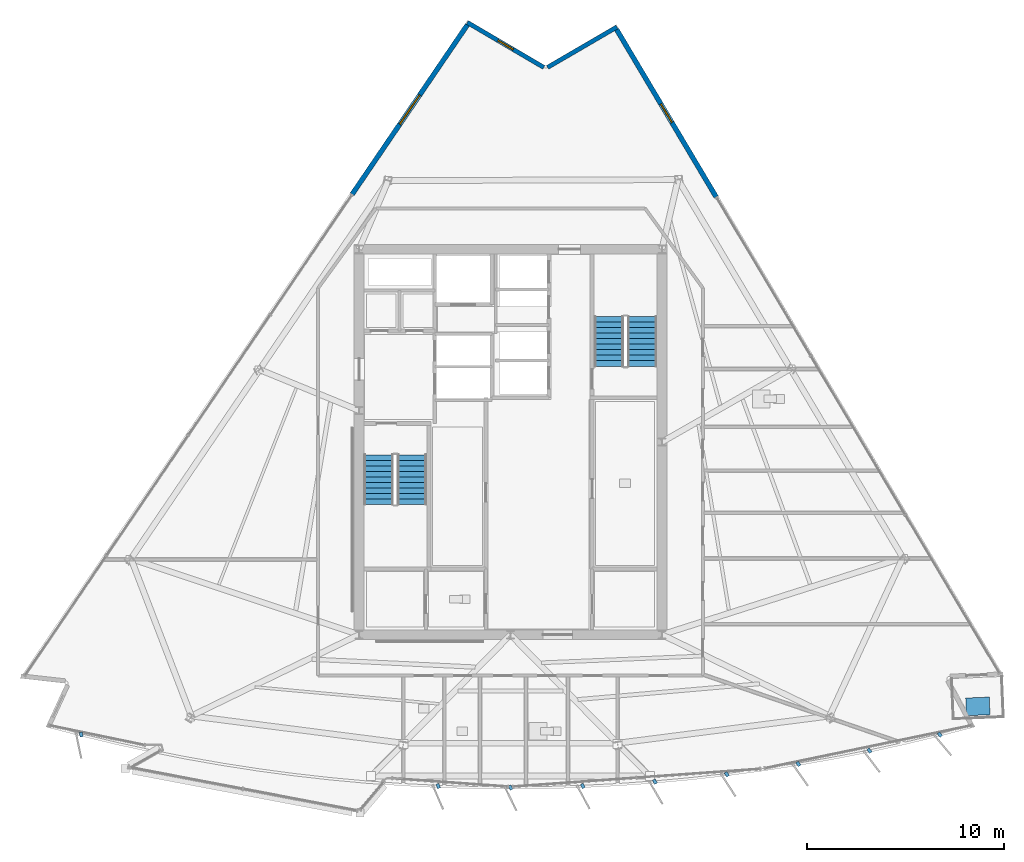
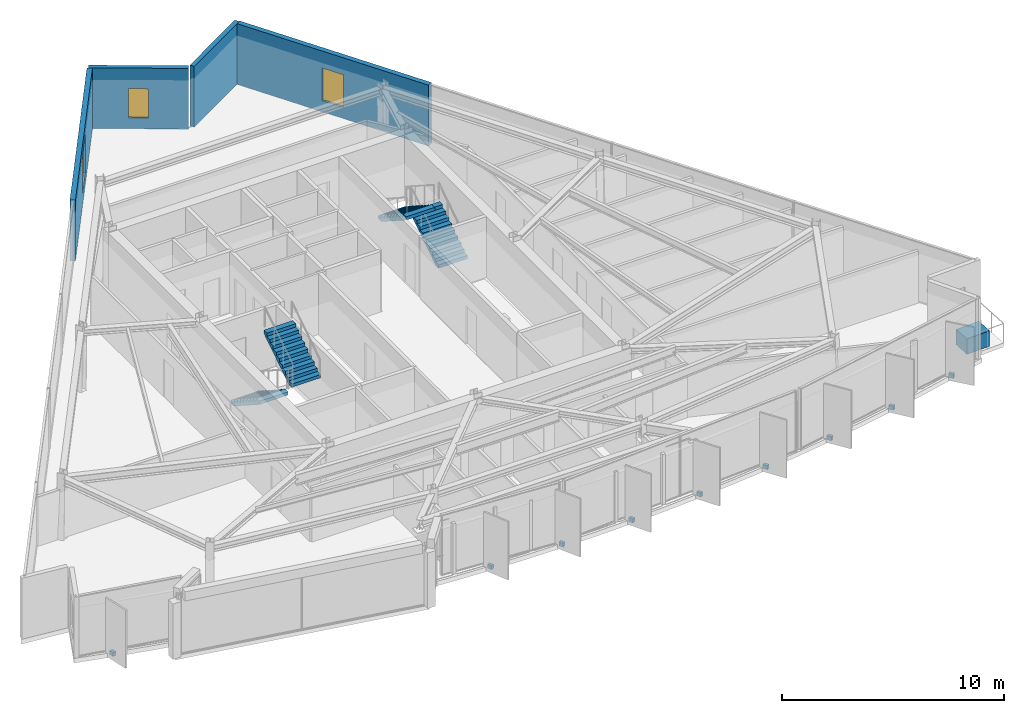
# One storey, part 9 of 14: 10 discrete accessories, 4 stair flights, 4 walls, 3 windows, 3 openings, 2 elements without a shape of their own.
"""IFC4 building model written with IfcOpenShell, lengths in metres."""

from ifc_helpers import new_model, si_unit, direction, frame, frame_2d, origin, origin_2d, place, context, subcontext, project, spatial, polyline, rectangle, outline, extrude, material, layer, layer_set, type_object, element, fill, aggregate, save


model = new_model("IFC4")

# Units and contexts
model_context = context("Model", 3, precision=1e-05, world=origin(), true_north=direction((0.0, 1.0)))
body_context = subcontext(model_context, "Body", "Model", "MODEL_VIEW")
ifc_project = project(units=[si_unit("LENGTHUNIT", "METRE"), si_unit("AREAUNIT", "SQUARE_METRE"), si_unit("VOLUMEUNIT", "CUBIC_METRE"), si_unit("PLANEANGLEUNIT", "RADIAN"), si_unit("MASSUNIT", "GRAM", prefix="KILO")], contexts=[model_context])

# Site, building, storey
site_placement = place(None, origin())
site = spatial("IfcSite", under=ifc_project, at=site_placement, CompositionType="ELEMENT")
building_placement = place(site_placement, origin())
building = spatial("IfcBuilding", under=site, at=building_placement, Name="Savorim Split Tower", CompositionType="ELEMENT")
storey_placement = place(building_placement, frame((0.0, 0.0, 230.699951171875)))
storey = spatial("IfcBuildingStorey", under=building, at=storey_placement, Name="L61", CompositionType="ELEMENT", Elevation=230.699951171875)

# Wall
ifc_material_1 = material(Name="Precast concrete C40/50", Category="concrete")
ifc_layer_1 = layer(ifc_material_1, 0.219970703125)
ifc_layer_set_1 = layer_set([ifc_layer_1], Name="WAL-EXT-CRN220")
wall_type_1 = type_object("IfcWallType", Name="WAL-EXT-CRN220", PredefinedType="SOLIDWALL", material=ifc_layer_set_1)
wall_1_placement = place(storey_placement, frame((1.8837890625, 19.445068359375, 0.0), z_axis=(0.0, 0.0, 1.0), x_axis=(0.863969645804, 0.50354389196, 0.0)))
element("IfcWall", 1, at=wall_1_placement, inside=storey, type_object=wall_type_1, Name="L61 Notched Corner Facade Wall NE1", PredefinedType="SOLIDWALL", context=body_context, shape_type="SweptSolid", body=[
    extrude(rectangle(XDim=4.083740234375, YDim=0.219970703125, at=frame_2d((2.0419921875, 0.0))), origin(), (0.0, 0.0, 1.0), 3.35009765625),
])

# Wall, opening, window
wall_2_placement = place(storey_placement, frame((-2.196533203125, 21.731689453125, 0.0), z_axis=(0.0, 0.0, 1.0), x_axis=(0.862121926844, -0.506700881442, 0.0)))
wall_2 = element("IfcWall", 2, at=wall_2_placement, inside=storey, type_object=wall_type_1, Name="L61 Notched Corner Facade Wall N", PredefinedType="SOLIDWALL", context=body_context, shape_type="SweptSolid", body=[
    extrude(rectangle(XDim=4.51220703125, YDim=0.219970703125, at=frame_2d((2.256103515625, 0.0))), origin(), (0.0, 0.0, 1.0), 3.35009765625),
])
opening_1_placement = place(wall_2_placement, frame((1.80615234375, 0.0, 0.6201171875)))
opening_1 = element("IfcOpeningElement", 3, at=opening_1_placement, cuts=wall_2, Name="Opening WN-10", PredefinedType="OPENING", context=body_context, shape_type="SweptSolid", body=[
    extrude(rectangle(XDim=0.89990234375, YDim=1.60009765625, at=frame_2d((0.449951171875, 0.800048828125))), frame((0.0, 0.119873046875, 0.0), z_axis=(0.0, -1.0, 0.0), x_axis=(1.0, 0.0, 0.0)), (0.0, 0.0, 1.0), 0.239990234375),
])
ifc_material_2 = material(Name="Low-E Operable Double Glazing", Category="glass")
window_type_1 = type_object("IfcWindowType", Name="WIN-TWR-900x1600", PartitioningType="SINGLE_PANEL", PredefinedType="WINDOW", material=ifc_material_2)
window_1_placement = place(opening_1_placement, origin())
window_1 = element("IfcWindow", 4, at=window_1_placement, inside=storey, type_object=window_type_1, Name="L61 Operable Corner Window N", OverallHeight=1.60009765625, OverallWidth=0.89990234375, PartitioningType="SINGLE_PANEL", PredefinedType="WINDOW", context=body_context, shape_type="SweptSolid", body=[
    extrude(rectangle(XDim=0.89990234375, YDim=1.60009765625, at=frame_2d((0.449951171875, 0.800048828125))), frame((0.0, 0.030029296875, 0.0), z_axis=(0.0, -1.0, 0.0), x_axis=(1.0, 0.0, 0.0)), (0.0, 0.0, 1.0), 0.06005859375),
])
fill(opening_1, window_1)

ifc_layer_2 = layer(ifc_material_1, 0.25)
ifc_layer_set_2 = layer_set([ifc_layer_2], Name="WAL-EXT-SPN250")
wall_type_2 = type_object("IfcWallType", Name="WAL-EXT-SPN250", PredefinedType="SOLIDWALL", material=ifc_layer_set_2)
wall_3_placement = place(storey_placement, frame((5.3955078125, 21.374755859375, 0.0), z_axis=(0.0, 0.0, 1.0), x_axis=(0.511082771111, -0.85953150092, 0.0)))
wall_3 = element("IfcWall", 5, at=wall_3_placement, inside=storey, type_object=wall_type_2, Name="L61 East Operable Window Pier", PredefinedType="SOLIDWALL", context=body_context, shape_type="SweptSolid", body=[
    extrude(rectangle(XDim=9.91064453125, YDim=0.25, at=frame_2d((4.955322265625, 0.0))), origin(), (0.0, 0.0, 1.0), 3.35009765625),
])
opening_2_placement = place(wall_3_placement, frame((4.405517578125, 0.0, 0.6201171875)))
opening_2 = element("IfcOpeningElement", 6, at=opening_2_placement, cuts=wall_3, Name="Opening WN-09", PredefinedType="OPENING", context=body_context, shape_type="SweptSolid", body=[
    extrude(rectangle(XDim=1.10009765625, YDim=1.800048828125, at=frame_2d((0.550048828125, 0.89990234375))), frame((0.0, 0.135009765625, 0.0), z_axis=(0.0, -1.0, 0.0), x_axis=(1.0, 0.0, 0.0)), (0.0, 0.0, 1.0), 0.27001953125),
])
window_type_2 = type_object("IfcWindowType", Name="WIN-TWR-1100x1800", PartitioningType="SINGLE_PANEL", PredefinedType="WINDOW", material=ifc_material_2)
window_2_placement = place(opening_2_placement, origin())
window_2 = element("IfcWindow", 7, at=window_2_placement, inside=storey, type_object=window_type_2, Name="L61 East Operable Ventilation Window", OverallHeight=1.800048828125, OverallWidth=1.10009765625, PartitioningType="SINGLE_PANEL", PredefinedType="WINDOW", context=body_context, shape_type="SweptSolid", body=[
    extrude(rectangle(XDim=1.10009765625, YDim=1.800048828125, at=frame_2d((0.550048828125, 0.89990234375))), frame((0.0, 0.030029296875, 0.0), z_axis=(0.0, -1.0, 0.0), x_axis=(1.0, 0.0, 0.0)), (0.0, 0.0, 1.0), 0.06005859375),
])
fill(opening_2, window_2)

wall_4_placement = place(storey_placement, frame((-8.05029296875, 12.998291015625, 0.0), z_axis=(0.0, 0.0, 1.0), x_axis=(0.562447281182, 0.826833148762, 0.0)))
wall_4 = element("IfcWall", 8, at=wall_4_placement, inside=storey, type_object=wall_type_2, Name="L61 West Operable Window Pier", PredefinedType="SOLIDWALL", context=body_context, shape_type="SweptSolid", body=[
    extrude(rectangle(XDim=10.41064453125, YDim=0.25, at=frame_2d((5.205322265625, 0.0))), origin(), (0.0, 0.0, 1.0), 3.35009765625),
])
opening_3_placement = place(wall_4_placement, frame((4.305419921875, 0.0, 0.6201171875)))
opening_3 = element("IfcOpeningElement", 9, at=opening_3_placement, cuts=wall_4, Name="Opening WN-04", PredefinedType="OPENING", context=body_context, shape_type="SweptSolid", body=[
    extrude(rectangle(XDim=1.800048828125, YDim=2.10009765625, at=frame_2d((0.89990234375, 1.050048828125))), frame((0.0, 0.135009765625, 0.0), z_axis=(0.0, -1.0, 0.0), x_axis=(1.0, 0.0, 0.0)), (0.0, 0.0, 1.0), 0.27001953125),
])
window_type_3 = type_object("IfcWindowType", Name="WIN-TWR-1800x2100", PartitioningType="DOUBLE_PANEL_VERTICAL", PredefinedType="WINDOW", material=ifc_material_2)
window_3_placement = place(opening_3_placement, origin())
window_3 = element("IfcWindow", 10, at=window_3_placement, inside=storey, type_object=window_type_3, Name="L61 West Operable Ventilation Window", OverallHeight=2.10009765625, OverallWidth=1.800048828125, PartitioningType="SINGLE_PANEL", PredefinedType="WINDOW", context=body_context, shape_type="SweptSolid", body=[
    extrude(rectangle(XDim=1.800048828125, YDim=2.10009765625, at=frame_2d((0.89990234375, 1.050048828125))), frame((0.0, 0.030029296875, 0.0), z_axis=(0.0, -1.0, 0.0), x_axis=(1.0, 0.0, 0.0)), (0.0, 0.0, 1.0), 0.06005859375),
])
fill(opening_3, window_3)

# Stair, stair flights
ifc_material_3 = material(Name="Concrete C50/60", Category="concrete")
stair_type = type_object("IfcStairType", Name="STR-DOG-3600", PredefinedType="HALF_TURN_STAIR", material=ifc_material_3)
stair_1_placement = place(storey_placement, origin())
stair_1 = element("IfcStair", 11, at=stair_1_placement, inside=storey, type_object=stair_type, Name="L61 Core Protected Exit Stair ST-1", PredefinedType="HALF_TURN_STAIR")
stair_flight_type = type_object("IfcStairFlightType", Name="SFL-DOG-3600", PredefinedType="STRAIGHT", material=ifc_material_3)
stair_flight_1_placement = place(storey_placement, frame((-6.699951171875, -0.25, 0.0), z_axis=(0.0, 0.0, 1.0), x_axis=(0.0, -1.0, 0.0)))
stair_flight_1 = element("IfcStairFlight", 12, at=stair_flight_1_placement, type_object=stair_flight_type, Name="ST-1 flight 1", NumberOfRisers=10, NumberOfTreads=9, PredefinedType="STRAIGHT", RiserHeight=0.18, TreadLength=0.28, context=body_context, shape_type="SweptSolid", body=[
    extrude(outline(polyline([(0.0, 0.0), (0.0, 0.179931640625), (0.280029296875, 0.179931640625), (0.280029296875, 0.360107421875), (0.56005859375, 0.360107421875), (0.56005859375, 0.5400390625), (0.840087890625, 0.5400390625), (0.840087890625, 0.719970703125), (1.1201171875, 0.719970703125), (1.1201171875, 0.89990234375), (1.39990234375, 0.89990234375), (1.39990234375, 1.080078125), (1.679931640625, 1.080078125), (1.679931640625, 1.260009765625), (1.9599609375, 1.260009765625), (1.9599609375, 1.43994140625), (2.239990234375, 1.43994140625), (2.239990234375, 1.6201171875), (2.52001953125, 1.6201171875), (2.52001953125, 1.800048828125), (2.52001953125, 1.44189453125), (0.277099609375, 0.0), (0.0, 0.0)])), frame((0.0, 0.75, 0.0), z_axis=(0.0, -1.0, 0.0), x_axis=(1.0, 0.0, 0.0)), (0.0, 0.0, 1.0), 1.5),
])
stair_flight_2_placement = place(storey_placement, frame((-5.0, -2.77001953125, 1.800048828125), z_axis=(0.0, 0.0, 1.0), x_axis=(0.0, 1.0, 0.0)))
stair_flight_2 = element("IfcStairFlight", 13, at=stair_flight_2_placement, type_object=stair_flight_type, Name="ST-1 flight 2", NumberOfRisers=10, NumberOfTreads=9, PredefinedType="STRAIGHT", RiserHeight=0.18, TreadLength=0.28, context=body_context, shape_type="SweptSolid", body=[
    extrude(outline(polyline([(0.0, 0.0), (0.0, 0.179931640625), (0.280029296875, 0.179931640625), (0.280029296875, 0.360107421875), (0.56005859375, 0.360107421875), (0.56005859375, 0.5400390625), (0.840087890625, 0.5400390625), (0.840087890625, 0.719970703125), (1.1201171875, 0.719970703125), (1.1201171875, 0.89990234375), (1.39990234375, 0.89990234375), (1.39990234375, 1.080078125), (1.679931640625, 1.080078125), (1.679931640625, 1.260009765625), (1.9599609375, 1.260009765625), (1.9599609375, 1.43994140625), (2.239990234375, 1.43994140625), (2.239990234375, 1.6201171875), (2.52001953125, 1.6201171875), (2.52001953125, 1.800048828125), (2.52001953125, 1.44189453125), (0.277099609375, 0.0), (0.0, 0.0)])), frame((0.0, 0.75, 0.0), z_axis=(0.0, -1.0, 0.0), x_axis=(1.0, 0.0, 0.0)), (0.0, 0.0, 1.0), 1.5),
])
aggregate(stair_1, [stair_flight_1, stair_flight_2])

stair_2_placement = place(storey_placement, origin())
stair_2 = element("IfcStair", 14, at=stair_2_placement, inside=storey, type_object=stair_type, Name="L61 Core Protected Exit Stair ST-2", PredefinedType="HALF_TURN_STAIR")
stair_flight_3_placement = place(storey_placement, frame((6.699951171875, 4.25, 0.0), z_axis=(0.0, 0.0, 1.0), x_axis=(0.0, 1.0, 0.0)))
stair_flight_3 = element("IfcStairFlight", 15, at=stair_flight_3_placement, type_object=stair_flight_type, Name="ST-2 flight 1", NumberOfRisers=10, NumberOfTreads=9, PredefinedType="STRAIGHT", RiserHeight=0.18, TreadLength=0.28, context=body_context, shape_type="SweptSolid", body=[
    extrude(outline(polyline([(0.0, 0.0), (0.0, 0.179931640625), (0.280029296875, 0.179931640625), (0.280029296875, 0.360107421875), (0.56005859375, 0.360107421875), (0.56005859375, 0.5400390625), (0.840087890625, 0.5400390625), (0.840087890625, 0.719970703125), (1.1201171875, 0.719970703125), (1.1201171875, 0.89990234375), (1.39990234375, 0.89990234375), (1.39990234375, 1.080078125), (1.679931640625, 1.080078125), (1.679931640625, 1.260009765625), (1.9599609375, 1.260009765625), (1.9599609375, 1.43994140625), (2.239990234375, 1.43994140625), (2.239990234375, 1.6201171875), (2.52001953125, 1.6201171875), (2.52001953125, 1.800048828125), (2.52001953125, 1.44189453125), (0.277099609375, 0.0), (0.0, 0.0)])), frame((0.0, 0.75, 0.0), z_axis=(0.0, -1.0, 0.0), x_axis=(1.0, 0.0, 0.0)), (0.0, 0.0, 1.0), 1.5),
])
stair_flight_4_placement = place(storey_placement, frame((5.0, 6.77001953125, 1.800048828125), z_axis=(0.0, 0.0, 1.0), x_axis=(0.0, -1.0, 0.0)))
stair_flight_4 = element("IfcStairFlight", 16, at=stair_flight_4_placement, type_object=stair_flight_type, Name="ST-2 flight 2", NumberOfRisers=10, NumberOfTreads=9, PredefinedType="STRAIGHT", RiserHeight=0.18, TreadLength=0.28, context=body_context, shape_type="SweptSolid", body=[
    extrude(outline(polyline([(0.0, 0.0), (0.0, 0.179931640625), (0.280029296875, 0.179931640625), (0.280029296875, 0.360107421875), (0.56005859375, 0.360107421875), (0.56005859375, 0.5400390625), (0.840087890625, 0.5400390625), (0.840087890625, 0.719970703125), (1.1201171875, 0.719970703125), (1.1201171875, 0.89990234375), (1.39990234375, 0.89990234375), (1.39990234375, 1.080078125), (1.679931640625, 1.080078125), (1.679931640625, 1.260009765625), (1.9599609375, 1.260009765625), (1.9599609375, 1.43994140625), (2.239990234375, 1.43994140625), (2.239990234375, 1.6201171875), (2.52001953125, 1.6201171875), (2.52001953125, 1.800048828125), (2.52001953125, 1.44189453125), (0.277099609375, 0.0), (0.0, 0.0)])), frame((0.0, 0.75, 0.0), z_axis=(0.0, -1.0, 0.0), x_axis=(1.0, 0.0, 0.0)), (0.0, 0.0, 1.0), 1.5),
])
aggregate(stair_2, [stair_flight_3, stair_flight_4])

# Discrete accessories
ifc_material_4 = material(Name="Steel S355", Category="steel")
discrete_accessory_type_1 = type_object("IfcDiscreteAccessoryType", Name="ACC-BRK-FIN", PredefinedType="BRACKET", material=ifc_material_4)
for number, where, z_axis, x_axis, name in (
    (17, (-21.830078125, -14.47900390625, -0.18994140625), (0.0, 0.0, 1.0), (0.206721626106, -0.978399800337, 0.0), "L61 Fin Slab-Edge Cleat Bracket 01"),
    (18, (-3.674072265625, -17.09765625, -0.18994140625), (0.0, 0.0, 1.0), (0.401230091723, -0.915977299662, 0.0), "L61 Fin Slab-Edge Cleat Bracket 06"),
    (19, (0.0, -17.1728515625, -0.18994140625), (0.0, 0.0, 1.0), (0.438371146789, -0.898794046299, 0.0), "L61 Fin Slab-Edge Cleat Bracket 07"),
    (20, (3.674072265625, -17.09765625, -0.18994140625), (0.0, 0.0, 1.0), (0.474778051978, -0.880105562623, 0.0), "L61 Fin Slab-Edge Cleat Bracket 08"),
    (21, (7.342041015625, -16.8720703125, -0.18994140625), (0.0, 0.0, 1.0), (0.510391336723, -0.859942255851, 0.0), "L61 Fin Slab-Edge Cleat Bracket 09"),
    (22, (10.997802734375, -16.496826171875, -0.18994140625), (0.0, 0.0, 1.0), (0.545148321708, -0.838339613366, 0.0), "L61 Fin Slab-Edge Cleat Bracket 10"),
    (23, (14.635009765625, -15.97216796875, -0.18994140625), (0.0, 0.0, 1.0), (0.578993757737, -0.815331974414, 0.0), "L61 Fin Slab-Edge Cleat Bracket 11"),
    (24, (18.247802734375, -15.29931640625, -0.18994140625), (0.0, 0.0, 1.0), (0.611868076908, -0.790959832394, 0.0), "L61 Fin Slab-Edge Cleat Bracket 12"),
    (25, (21.830078125, -14.47900390625, -0.18994140625), (0.0, 0.0, 1.0), (0.643719022682, -0.765261928909, 0.0), "L61 Fin Slab-Edge Cleat Bracket 13"),
):
    element("IfcDiscreteAccessory", number, at=place(storey_placement, frame(where, z_axis=z_axis, x_axis=x_axis)), inside=storey, type_object=discrete_accessory_type_1, Name=name, PredefinedType="BRACKET", context=body_context, shape_type="SweptSolid", body=[
        extrude(rectangle(XDim=0.239990234375, YDim=0.159912109375, at=origin_2d()), origin(), (0.0, 0.0, 1.0), 0.219970703125),
    ])
ifc_material_5 = material(Name="Architectural Precast Planter Concrete C40/50", Category="concrete")
discrete_accessory_type_2 = type_object("IfcDiscreteAccessoryType", Name="ACC-PLN-TREE", PredefinedType="USERDEFINED", material=ifc_material_5)
discrete_accessory_placement = place(storey_placement, frame((23.764404296875, -13.044677734375, 0.0), z_axis=(0.0, 0.0, 1.0), x_axis=(0.999095802281, 0.042515619072, 0.0)))
element("IfcDiscreteAccessory", 26, at=discrete_accessory_placement, inside=storey, type_object=discrete_accessory_type_2, Name="L61 Balcony Precast Tree Planter SE", ObjectType="PLANTER", PredefinedType="USERDEFINED", context=body_context, shape_type="SweptSolid", body=[
    extrude(rectangle(XDim=1.199951171875, YDim=0.89990234375, at=origin_2d()), origin(), (0.0, 0.0, 1.0), 0.85009765625),
])

save(model, "model.ifc")
